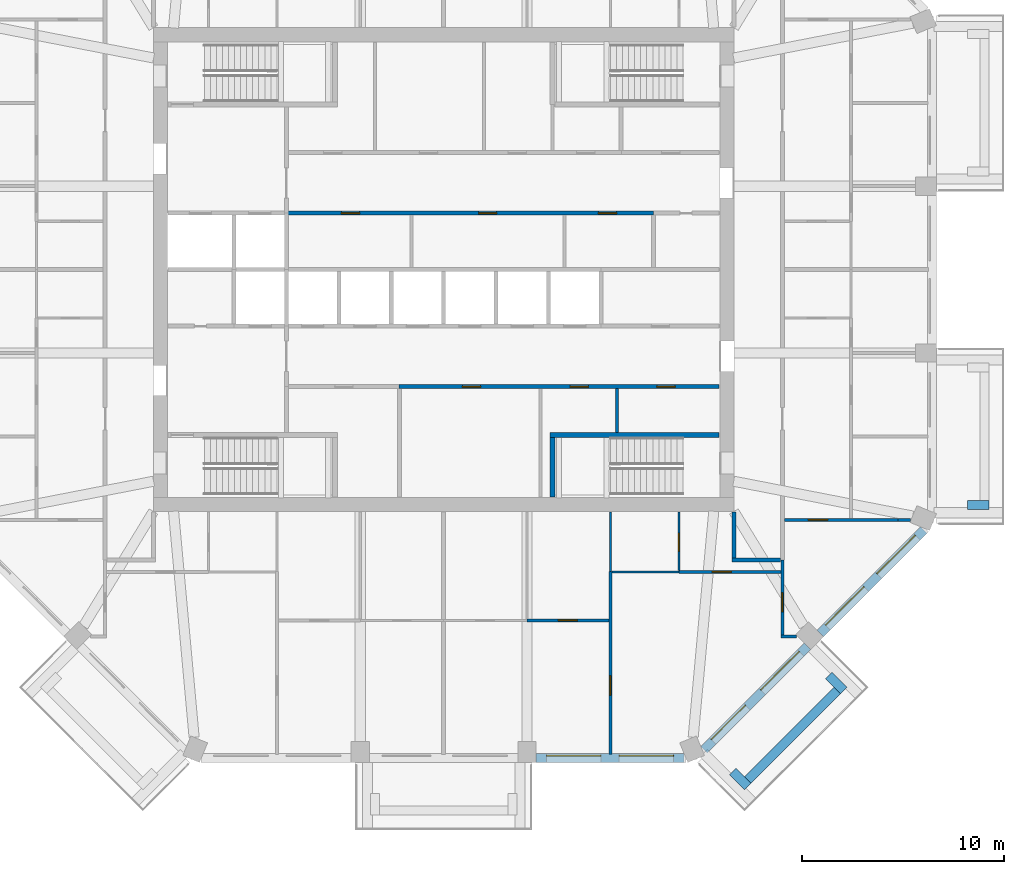
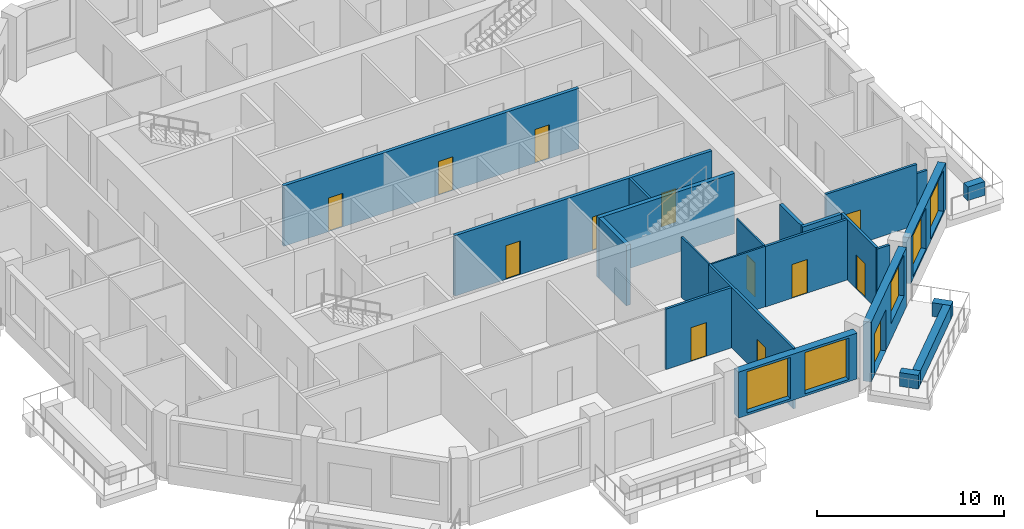
# One storey, part 5 of 12: 24 walls, 13 doors, 5 windows, 18 openings.
"""IFC4 building model written with IfcOpenShell, lengths in metres."""

from ifc_helpers import new_model, si_unit, direction, frame, frame_2d, origin, place, context, subcontext, project, spatial, rectangle, extrude, material, layer, layer_set, type_object, element, fill, save


model = new_model("IFC4")

# Units and contexts
model_context = context("Model", 3, precision=1e-05, world=origin(), true_north=direction((0.0, 1.0)))
body_context = subcontext(model_context, "Body", "Model", "MODEL_VIEW")
ifc_project = project(units=[si_unit("LENGTHUNIT", "METRE"), si_unit("AREAUNIT", "SQUARE_METRE"), si_unit("VOLUMEUNIT", "CUBIC_METRE"), si_unit("PLANEANGLEUNIT", "RADIAN"), si_unit("MASSUNIT", "GRAM", prefix="KILO")], contexts=[model_context])

# Site, building, storey
site_placement = place(None, origin())
site = spatial("IfcSite", under=ifc_project, at=site_placement, CompositionType="ELEMENT")
building_placement = place(site_placement, origin())
building = spatial("IfcBuilding", under=site, at=building_placement, Name="Msitu Wima Residences", CompositionType="ELEMENT")
storey_placement = place(building_placement, frame((0.0, 0.0, 170.699951171875)))
storey = spatial("IfcBuildingStorey", under=building, at=storey_placement, Name="L39", CompositionType="ELEMENT", Elevation=170.699951171875)

# Walls
ifc_material_1 = material(Name="Facing brick")
ifc_layer_1 = layer(ifc_material_1, 0.06494140625, Name="Facing brick")
ifc_material_2 = material(Name="Concrete C40/50", Category="concrete")
ifc_layer_2 = layer(ifc_material_2, 0.156005859375, Name="Concrete C40/50")
ifc_material_3 = material(Name="Waterproofing membrane")
ifc_layer_3 = layer(ifc_material_3, 0.00390625, Name="Waterproofing membrane")
ifc_material_4 = material(Name="Planting soil and planting")
ifc_layer_4 = layer(ifc_material_4, 0.22509765625, Name="Planting soil and planting")
ifc_layer_set_1 = layer_set([ifc_layer_1, ifc_layer_2, ifc_layer_3, ifc_layer_4], Name="Concrete C40/50")
wall_type_1 = type_object("IfcWallType", Name="Balcony planter PLANTER PL450", PredefinedType="USERDEFINED", material=ifc_layer_set_1)
wall_1_placement = place(storey_placement, frame((26.0, -11.686767578125, 0.0), z_axis=(0.0, 0.0, 1.0), x_axis=(1.0, 0.0, 0.0)))
element("IfcWall", 1, at=wall_1_placement, inside=storey, type_object=wall_type_1, Name="Balcony planter E0 L39", ObjectType="PLANTER", PredefinedType="USERDEFINED", context=body_context, shape_type="SweptSolid", body=[
    extrude(rectangle(XDim=1.050048828125, YDim=0.449951171875, at=frame_2d((0.52490234375, 0.0))), origin(), (0.0, 0.0, 1.0), 0.900146484375),
])
wall_2_placement = place(storey_placement, frame((15.0810546875, -25.325927734375, 0.0), z_axis=(0.0, 0.0, 1.0), x_axis=(0.707106781187, 0.707106781187, 0.0)))
element("IfcWall", 2, at=wall_2_placement, inside=storey, type_object=wall_type_1, Name="Balcony planter SE0 L39", ObjectType="PLANTER", PredefinedType="USERDEFINED", context=body_context, shape_type="SweptSolid", body=[
    extrude(rectangle(XDim=6.294189453125, YDim=0.449951171875, at=frame_2d((3.14697265625, 0.0))), origin(), (0.0, 0.0, 1.0), 0.900146484375),
])
for number, where, z_axis, x_axis, name in (
    (3, (14.338623046875, -24.901611328125, 0.0), (0.0, 0.0, 1.0), (0.707106781187, -0.707106781187, 0.0), "Balcony planter SE0 L39"),
    (4, (19.107421875, -20.1328125, 0.0), (0.0, 0.0, 1.0), (0.707106781187, -0.707106781187, 0.0), "Balcony planter SE0 L39"),
):
    element("IfcWall", number, at=place(storey_placement, frame(where, z_axis=z_axis, x_axis=x_axis)), inside=storey, type_object=wall_type_1, Name=name, ObjectType="PLANTER", PredefinedType="USERDEFINED", context=body_context, shape_type="SweptSolid", body=[
        extrude(rectangle(XDim=1.050048828125, YDim=0.449951171875, at=frame_2d((0.52490234375, 0.0))), origin(), (0.0, 0.0, 1.0), 0.900146484375),
    ])

# Wall, openings, windows
ifc_material_5 = material(Name="Brick (red buff mix)", Category="masonry")
ifc_layer_5 = layer(ifc_material_5, 0.449951171875)
ifc_layer_set_2 = layer_set([ifc_layer_5], Name="Brick (red buff mix)")
wall_type_2 = type_object("IfcWallType", Name="Brick infill wall BW450", PredefinedType="SOLIDWALL", material=ifc_layer_set_2)
wall_3_placement = place(storey_placement, frame((4.587158203125, -24.22509765625, 0.900146484375), z_axis=(0.0, 0.0, 1.0), x_axis=(1.0, 0.0, 0.0)))
wall_3 = element("IfcWall", 5, at=wall_3_placement, inside=storey, type_object=wall_type_2, Name="Brick infill wall L39 S2", PredefinedType="SOLIDWALL", context=body_context, shape_type="SweptSolid", body=[
    extrude(rectangle(XDim=7.337646484375, YDim=0.449951171875, at=frame_2d((3.6689453125, 0.0))), origin(), (0.0, 0.0, 1.0), 3.0),
])
opening_1_placement = place(wall_3_placement, frame((0.518798828125, 0.0, 0.14990234375)))
opening_1 = element("IfcOpeningElement", 6, at=opening_1_placement, cuts=wall_3, Name="Opening W38-39.019", PredefinedType="OPENING", context=body_context, shape_type="SweptSolid", body=[
    extrude(rectangle(XDim=2.699951171875, YDim=2.699951171875, at=frame_2d((1.35009765625, 1.35009765625))), frame((0.0, 0.23486328125, 0.0), z_axis=(0.0, -1.0, 0.0), x_axis=(1.0, 0.0, 0.0)), (0.0, 0.0, 1.0), 0.469970703125),
])
opening_2_placement = place(wall_3_placement, frame((4.11865234375, 0.0, 0.14990234375)))
opening_2 = element("IfcOpeningElement", 7, at=opening_2_placement, cuts=wall_3, Name="Opening W38-39.020", PredefinedType="OPENING", context=body_context, shape_type="SweptSolid", body=[
    extrude(rectangle(XDim=2.699951171875, YDim=2.699951171875, at=frame_2d((1.35009765625, 1.35009765625))), frame((0.0, 0.23486328125, 0.0), z_axis=(0.0, -1.0, 0.0), x_axis=(1.0, 0.0, 0.0)), (0.0, 0.0, 1.0), 0.469970703125),
])
ifc_material_6 = material(Name="Anodised aluminium, bronze finish, clear low-emissivity double glazing", Category="aluminium")
window_type = type_object("IfcWindowType", Name="Window W2700x2700", PartitioningType="DOUBLE_PANEL_VERTICAL", PredefinedType="WINDOW", material=ifc_material_6)
window_1_placement = place(opening_1_placement, origin())
window_1 = element("IfcWindow", 8, at=window_1_placement, inside=storey, type_object=window_type, Name="Window L39 S2.1", OverallHeight=2.699951171875, OverallWidth=2.699951171875, PartitioningType="SINGLE_PANEL", PredefinedType="WINDOW", context=body_context, shape_type="SweptSolid", body=[
    extrude(rectangle(XDim=2.699951171875, YDim=2.699951171875, at=frame_2d((1.35009765625, 1.35009765625))), frame((0.0, 0.135009765625, 0.0), z_axis=(0.0, -1.0, 0.0), x_axis=(1.0, 0.0, 0.0)), (0.0, 0.0, 1.0), 0.06005859375),
])
fill(opening_1, window_1)
window_2_placement = place(opening_2_placement, origin())
window_2 = element("IfcWindow", 9, at=window_2_placement, inside=storey, type_object=window_type, Name="Window L39 S2.2", OverallHeight=2.699951171875, OverallWidth=2.699951171875, PartitioningType="SINGLE_PANEL", PredefinedType="WINDOW", context=body_context, shape_type="SweptSolid", body=[
    extrude(rectangle(XDim=2.699951171875, YDim=2.699951171875, at=frame_2d((1.35009765625, 1.35009765625))), frame((0.0, 0.135009765625, 0.0), z_axis=(0.0, -1.0, 0.0), x_axis=(1.0, 0.0, 0.0)), (0.0, 0.0, 1.0), 0.06005859375),
])
fill(opening_2, window_2)

# Wall, openings, door, window
wall_4_placement = place(storey_placement, frame((12.915283203125, -23.814697265625, 0.0), z_axis=(0.0, 0.0, 1.0), x_axis=(0.707106781187, 0.707106781187, 0.0)))
wall_4 = element("IfcWall", 10, at=wall_4_placement, inside=storey, type_object=wall_type_2, Name="Brick infill wall L39 SE0", PredefinedType="SOLIDWALL", context=body_context, shape_type="SweptSolid", body=[
    extrude(rectangle(XDim=7.257080078125, YDim=0.449951171875, at=frame_2d((3.62841796875, 0.0))), origin(), (0.0, 0.0, 1.0), 3.900146484375),
])
opening_3_placement = place(wall_4_placement, frame((0.6142578125, 0.0, 0.0)))
opening_3 = element("IfcOpeningElement", 11, at=opening_3_placement, cuts=wall_4, Name="Opening D38-39.007", PredefinedType="OPENING", context=body_context, shape_type="SweptSolid", body=[
    extrude(rectangle(XDim=2.39990234375, YDim=2.699951171875, at=frame_2d((1.199951171875, 1.35009765625))), frame((0.0, 0.23486328125, 0.0), z_axis=(0.0, -1.0, 0.0), x_axis=(1.0, 0.0, 0.0)), (0.0, 0.0, 1.0), 0.469970703125),
])
opening_4_placement = place(wall_4_placement, frame((4.07861328125, 0.0, 1.050048828125)))
opening_4 = element("IfcOpeningElement", 12, at=opening_4_placement, cuts=wall_4, Name="Opening W38-39.021", PredefinedType="OPENING", context=body_context, shape_type="SweptSolid", body=[
    extrude(rectangle(XDim=2.699951171875, YDim=2.699951171875, at=frame_2d((1.35009765625, 1.35009765625))), frame((0.0, 0.23486328125, 0.0), z_axis=(0.0, -1.0, 0.0), x_axis=(1.0, 0.0, 0.0)), (0.0, 0.0, 1.0), 0.469970703125),
])
door_type_1 = type_object("IfcDoorType", Name="Balcony door D2400x2700", OperationType="SLIDING_TO_LEFT", PredefinedType="DOOR", material=ifc_material_6)
door_1_placement = place(opening_3_placement, origin())
door_1 = element("IfcDoor", 13, at=door_1_placement, inside=storey, type_object=door_type_1, Name="Balcony door L39 SE0", OperationType="SINGLE_SWING_LEFT", OverallHeight=2.699951171875, OverallWidth=2.39990234375, PredefinedType="DOOR", context=body_context, shape_type="SweptSolid", body=[
    extrude(rectangle(XDim=2.39990234375, YDim=2.699951171875, at=frame_2d((1.199951171875, 1.35009765625))), frame((0.0, 0.1298828125, 0.0), z_axis=(0.0, -1.0, 0.0), x_axis=(1.0, 0.0, 0.0)), (0.0, 0.0, 1.0), 0.050048828125),
])
fill(opening_3, door_1)
window_3_placement = place(opening_4_placement, origin())
window_3 = element("IfcWindow", 14, at=window_3_placement, inside=storey, type_object=window_type, Name="Window L39 SE0.2", OverallHeight=2.699951171875, OverallWidth=2.699951171875, PartitioningType="SINGLE_PANEL", PredefinedType="WINDOW", context=body_context, shape_type="SweptSolid", body=[
    extrude(rectangle(XDim=2.699951171875, YDim=2.699951171875, at=frame_2d((1.35009765625, 1.35009765625))), frame((0.0, 0.135009765625, 0.0), z_axis=(0.0, -1.0, 0.0), x_axis=(1.0, 0.0, 0.0)), (0.0, 0.0, 1.0), 0.06005859375),
])
fill(opening_4, window_3)

# Wall, openings, windows
wall_5_placement = place(storey_placement, frame((18.68310546875, -18.046875, 0.900146484375), z_axis=(0.0, 0.0, 1.0), x_axis=(0.707106781187, 0.707106781187, 0.0)))
wall_5 = element("IfcWall", 15, at=wall_5_placement, inside=storey, type_object=wall_type_2, Name="Brick infill wall L39 SE1", PredefinedType="SOLIDWALL", context=body_context, shape_type="SweptSolid", body=[
    extrude(rectangle(XDim=7.257080078125, YDim=0.449951171875, at=frame_2d((3.62841796875, 0.0))), origin(), (0.0, 0.0, 1.0), 3.0),
])
opening_5_placement = place(wall_5_placement, frame((0.478515625, 0.0, 0.14990234375)))
opening_5 = element("IfcOpeningElement", 16, at=opening_5_placement, cuts=wall_5, Name="Opening W38-39.022", PredefinedType="OPENING", context=body_context, shape_type="SweptSolid", body=[
    extrude(rectangle(XDim=2.699951171875, YDim=2.699951171875, at=frame_2d((1.35009765625, 1.35009765625))), frame((0.0, 0.23486328125, 0.0), z_axis=(0.0, -1.0, 0.0), x_axis=(1.0, 0.0, 0.0)), (0.0, 0.0, 1.0), 0.469970703125),
])
opening_6_placement = place(wall_5_placement, frame((4.07861328125, 0.0, 0.14990234375)))
opening_6 = element("IfcOpeningElement", 17, at=opening_6_placement, cuts=wall_5, Name="Opening W38-39.023", PredefinedType="OPENING", context=body_context, shape_type="SweptSolid", body=[
    extrude(rectangle(XDim=2.699951171875, YDim=2.699951171875, at=frame_2d((1.35009765625, 1.35009765625))), frame((0.0, 0.23486328125, 0.0), z_axis=(0.0, -1.0, 0.0), x_axis=(1.0, 0.0, 0.0)), (0.0, 0.0, 1.0), 0.469970703125),
])
window_4_placement = place(opening_5_placement, origin())
window_4 = element("IfcWindow", 18, at=window_4_placement, inside=storey, type_object=window_type, Name="Window L39 SE1.1", OverallHeight=2.699951171875, OverallWidth=2.699951171875, PartitioningType="SINGLE_PANEL", PredefinedType="WINDOW", context=body_context, shape_type="SweptSolid", body=[
    extrude(rectangle(XDim=2.699951171875, YDim=2.699951171875, at=frame_2d((1.35009765625, 1.35009765625))), frame((0.0, 0.135009765625, 0.0), z_axis=(0.0, -1.0, 0.0), x_axis=(1.0, 0.0, 0.0)), (0.0, 0.0, 1.0), 0.06005859375),
])
fill(opening_5, window_4)
window_5_placement = place(opening_6_placement, origin())
window_5 = element("IfcWindow", 19, at=window_5_placement, inside=storey, type_object=window_type, Name="Window L39 SE1.2", OverallHeight=2.699951171875, OverallWidth=2.699951171875, PartitioningType="SINGLE_PANEL", PredefinedType="WINDOW", context=body_context, shape_type="SweptSolid", body=[
    extrude(rectangle(XDim=2.699951171875, YDim=2.699951171875, at=frame_2d((1.35009765625, 1.35009765625))), frame((0.0, 0.135009765625, 0.0), z_axis=(0.0, -1.0, 0.0), x_axis=(1.0, 0.0, 0.0)), (0.0, 0.0, 1.0), 0.06005859375),
])
fill(opening_6, window_5)

# Wall, openings, doors
ifc_material_7 = material(Name="Plaster")
ifc_layer_6 = layer(ifc_material_7, 0.011962890625, Name="Plaster")
ifc_material_8 = material(Name="Concrete blockwork", Category="masonry")
ifc_layer_7 = layer(ifc_material_8, 0.176025390625, Name="Concrete blockwork")
ifc_layer_8 = layer(ifc_material_7, 0.011962890625, Name="Plaster")
ifc_layer_set_3 = layer_set([ifc_layer_6, ifc_layer_7, ifc_layer_8], Name="Concrete blockwork")
wall_type_3 = type_object("IfcWallType", Name="Corridor wall FW200", PredefinedType="PARTITIONING", material=ifc_layer_set_3)
wall_6_placement = place(storey_placement, frame((-7.820068359375, 2.800048828125, 0.0), z_axis=(0.0, 0.0, 1.0), x_axis=(1.0, 0.0, 0.0)))
wall_6 = element("IfcWall", 20, at=wall_6_placement, inside=storey, type_object=wall_type_3, Name="Corridor wall", PredefinedType="PARTITIONING", context=body_context, shape_type="SweptSolid", body=[
    extrude(rectangle(XDim=18.239990234375, YDim=0.199951171875, at=frame_2d((9.1201171875, 0.0))), origin(), (0.0, 0.0, 1.0), 3.949951171875),
])
opening_7_placement = place(wall_6_placement, frame((2.75, 0.0, 0.0)))
opening_7 = element("IfcOpeningElement", 21, at=opening_7_placement, cuts=wall_6, Name="Opening D38-39.075", PredefinedType="OPENING", context=body_context, shape_type="SweptSolid", body=[
    extrude(rectangle(XDim=0.89990234375, YDim=2.199951171875, at=frame_2d((0.449951171875, 1.10009765625))), frame((0.0, 0.10986328125, 0.0), z_axis=(0.0, -1.0, 0.0), x_axis=(1.0, 0.0, 0.0)), (0.0, 0.0, 1.0), 0.219970703125),
])
opening_8_placement = place(wall_6_placement, frame((9.550048828125, 0.0, 0.0)))
opening_8 = element("IfcOpeningElement", 22, at=opening_8_placement, cuts=wall_6, Name="Opening D38-39.076", PredefinedType="OPENING", context=body_context, shape_type="SweptSolid", body=[
    extrude(rectangle(XDim=0.89990234375, YDim=2.199951171875, at=frame_2d((0.449951171875, 1.10009765625))), frame((0.0, 0.10986328125, 0.0), z_axis=(0.0, -1.0, 0.0), x_axis=(1.0, 0.0, 0.0)), (0.0, 0.0, 1.0), 0.219970703125),
])
opening_9_placement = place(wall_6_placement, frame((15.5, 0.0, 0.0)))
opening_9 = element("IfcOpeningElement", 23, at=opening_9_placement, cuts=wall_6, Name="Opening D38-39.077", PredefinedType="OPENING", context=body_context, shape_type="SweptSolid", body=[
    extrude(rectangle(XDim=0.89990234375, YDim=2.199951171875, at=frame_2d((0.449951171875, 1.10009765625))), frame((0.0, 0.10986328125, 0.0), z_axis=(0.0, -1.0, 0.0), x_axis=(1.0, 0.0, 0.0)), (0.0, 0.0, 1.0), 0.219970703125),
])
ifc_material_9 = material(Name="Timber flush door", Category="wood")
door_type_2 = type_object("IfcDoorType", Name="Service door D05 900x2200", OperationType="SINGLE_SWING_LEFT", PredefinedType="DOOR", material=ifc_material_9)
door_2_placement = place(opening_7_placement, origin())
door_2 = element("IfcDoor", 24, at=door_2_placement, inside=storey, type_object=door_type_2, Name="Service door", OperationType="SINGLE_SWING_LEFT", OverallHeight=2.199951171875, OverallWidth=0.89990234375, PredefinedType="DOOR", context=body_context, shape_type="SweptSolid", body=[
    extrude(rectangle(XDim=0.89990234375, YDim=2.199951171875, at=frame_2d((0.449951171875, 1.10009765625))), frame((0.0, 0.02490234375, 0.0), z_axis=(0.0, -1.0, 0.0), x_axis=(1.0, 0.0, 0.0)), (0.0, 0.0, 1.0), 0.050048828125),
])
fill(opening_7, door_2)
door_3_placement = place(opening_8_placement, origin())
door_3 = element("IfcDoor", 25, at=door_3_placement, inside=storey, type_object=door_type_2, Name="Service door", OperationType="SINGLE_SWING_LEFT", OverallHeight=2.199951171875, OverallWidth=0.89990234375, PredefinedType="DOOR", context=body_context, shape_type="SweptSolid", body=[
    extrude(rectangle(XDim=0.89990234375, YDim=2.199951171875, at=frame_2d((0.449951171875, 1.10009765625))), frame((0.0, 0.02490234375, 0.0), z_axis=(0.0, -1.0, 0.0), x_axis=(1.0, 0.0, 0.0)), (0.0, 0.0, 1.0), 0.050048828125),
])
fill(opening_8, door_3)
door_4_placement = place(opening_9_placement, origin())
door_4 = element("IfcDoor", 26, at=door_4_placement, inside=storey, type_object=door_type_2, Name="Service door", OperationType="SINGLE_SWING_RIGHT", OverallHeight=2.199951171875, OverallWidth=0.89990234375, PredefinedType="DOOR", context=body_context, shape_type="SweptSolid", body=[
    extrude(rectangle(XDim=0.89990234375, YDim=2.199951171875, at=frame_2d((0.449951171875, 1.10009765625))), frame((0.0, 0.02490234375, 0.0), z_axis=(0.0, -1.0, 0.0), x_axis=(1.0, 0.0, 0.0)), (0.0, 0.0, 1.0), 0.050048828125),
])
fill(opening_9, door_4)

wall_7_placement = place(storey_placement, frame((-2.219970703125, -5.800048828125, 0.0), z_axis=(0.0, 0.0, 1.0), x_axis=(1.0, 0.0, 0.0)))
wall_7 = element("IfcWall", 27, at=wall_7_placement, inside=storey, type_object=wall_type_3, Name="Corridor wall", PredefinedType="PARTITIONING", context=body_context, shape_type="SweptSolid", body=[
    extrude(rectangle(XDim=15.889892578125, YDim=0.199951171875, at=frame_2d((7.94482421875, 0.0))), origin(), (0.0, 0.0, 1.0), 3.949951171875),
])
opening_10_placement = place(wall_7_placement, frame((3.14990234375, 0.0, 0.0)))
opening_10 = element("IfcOpeningElement", 28, at=opening_10_placement, cuts=wall_7, Name="Opening D38-39.070", PredefinedType="OPENING", context=body_context, shape_type="SweptSolid", body=[
    extrude(rectangle(XDim=0.89990234375, YDim=2.199951171875, at=frame_2d((0.449951171875, 1.10009765625))), frame((0.0, 0.10986328125, 0.0), z_axis=(0.0, -1.0, 0.0), x_axis=(1.0, 0.0, 0.0)), (0.0, 0.0, 1.0), 0.219970703125),
])
opening_11_placement = place(wall_7_placement, frame((8.5, 0.0, 0.0)))
opening_11 = element("IfcOpeningElement", 29, at=opening_11_placement, cuts=wall_7, Name="Opening D38-39.071", PredefinedType="OPENING", context=body_context, shape_type="SweptSolid", body=[
    extrude(rectangle(XDim=0.89990234375, YDim=2.199951171875, at=frame_2d((0.449951171875, 1.10009765625))), frame((0.0, 0.10986328125, 0.0), z_axis=(0.0, -1.0, 0.0), x_axis=(1.0, 0.0, 0.0)), (0.0, 0.0, 1.0), 0.219970703125),
])
opening_12_placement = place(wall_7_placement, frame((12.800048828125, 0.0, 0.0)))
opening_12 = element("IfcOpeningElement", 30, at=opening_12_placement, cuts=wall_7, Name="Opening D38-39.072", PredefinedType="OPENING", context=body_context, shape_type="SweptSolid", body=[
    extrude(rectangle(XDim=0.89990234375, YDim=2.199951171875, at=frame_2d((0.449951171875, 1.10009765625))), frame((0.0, 0.10986328125, 0.0), z_axis=(0.0, -1.0, 0.0), x_axis=(1.0, 0.0, 0.0)), (0.0, 0.0, 1.0), 0.219970703125),
])
door_5_placement = place(opening_10_placement, origin())
door_5 = element("IfcDoor", 31, at=door_5_placement, inside=storey, type_object=door_type_2, Name="Service door", OperationType="SINGLE_SWING_LEFT", OverallHeight=2.199951171875, OverallWidth=0.89990234375, PredefinedType="DOOR", context=body_context, shape_type="SweptSolid", body=[
    extrude(rectangle(XDim=0.89990234375, YDim=2.199951171875, at=frame_2d((0.449951171875, 1.10009765625))), frame((0.0, 0.02490234375, 0.0), z_axis=(0.0, -1.0, 0.0), x_axis=(1.0, 0.0, 0.0)), (0.0, 0.0, 1.0), 0.050048828125),
])
fill(opening_10, door_5)
door_6_placement = place(opening_11_placement, origin())
door_6 = element("IfcDoor", 32, at=door_6_placement, inside=storey, type_object=door_type_2, Name="Service door", OperationType="SINGLE_SWING_LEFT", OverallHeight=2.199951171875, OverallWidth=0.89990234375, PredefinedType="DOOR", context=body_context, shape_type="SweptSolid", body=[
    extrude(rectangle(XDim=0.89990234375, YDim=2.199951171875, at=frame_2d((0.449951171875, 1.10009765625))), frame((0.0, 0.02490234375, 0.0), z_axis=(0.0, -1.0, 0.0), x_axis=(1.0, 0.0, 0.0)), (0.0, 0.0, 1.0), 0.050048828125),
])
fill(opening_11, door_6)
door_7_placement = place(opening_12_placement, origin())
door_7 = element("IfcDoor", 33, at=door_7_placement, inside=storey, type_object=door_type_2, Name="Service door", OperationType="SINGLE_SWING_RIGHT", OverallHeight=2.199951171875, OverallWidth=0.89990234375, PredefinedType="DOOR", context=body_context, shape_type="SweptSolid", body=[
    extrude(rectangle(XDim=0.89990234375, YDim=2.199951171875, at=frame_2d((0.449951171875, 1.10009765625))), frame((0.0, 0.02490234375, 0.0), z_axis=(0.0, -1.0, 0.0), x_axis=(1.0, 0.0, 0.0)), (0.0, 0.0, 1.0), 0.050048828125),
])
fill(opening_12, door_7)

# Walls
wall_8_placement = place(storey_placement, frame((14.39990234375, -14.300048828125, 0.0), z_axis=(0.0, 0.0, 1.0), x_axis=(0.0, 1.0, 0.0)))
element("IfcWall", 34, at=wall_8_placement, inside=storey, type_object=wall_type_3, Name="Corridor wall", PredefinedType="PARTITIONING", context=body_context, shape_type="SweptSolid", body=[
    extrude(rectangle(XDim=2.27001953125, YDim=0.199951171875, at=frame_2d((1.135009765625, 0.0))), origin(), (0.0, 0.0, 1.0), 3.949951171875),
])
wall_9_placement = place(storey_placement, frame((14.300048828125, -14.39990234375, 0.0), z_axis=(0.0, 0.0, 1.0), x_axis=(1.0, 0.0, 0.0)))
element("IfcWall", 35, at=wall_9_placement, inside=storey, type_object=wall_type_3, Name="Corridor wall", PredefinedType="PARTITIONING", context=body_context, shape_type="SweptSolid", body=[
    extrude(rectangle(XDim=2.39990234375, YDim=0.199951171875, at=frame_2d((1.199951171875, 0.0))), origin(), (0.0, 0.0, 1.0), 3.949951171875),
])

# Wall, opening, door
ifc_layer_9 = layer(ifc_material_7, 0.011962890625, Name="Plaster")
ifc_layer_10 = layer(ifc_material_8, 0.1259765625, Name="Concrete blockwork")
ifc_layer_11 = layer(ifc_material_7, 0.011962890625, Name="Plaster")
ifc_layer_set_4 = layer_set([ifc_layer_9, ifc_layer_10, ifc_layer_11], Name="Concrete blockwork")
wall_type_4 = type_object("IfcWallType", Name="Partition PW150", PredefinedType="PARTITIONING", material=ifc_layer_set_4)
wall_10_placement = place(storey_placement, frame((4.13720703125, -17.39990234375, 0.0), z_axis=(0.0, 0.0, 1.0), x_axis=(1.0, 0.0, 0.0)))
wall_10 = element("IfcWall", 36, at=wall_10_placement, inside=storey, type_object=wall_type_4, Name="Partition", PredefinedType="PARTITIONING", context=body_context, shape_type="SweptSolid", body=[
    extrude(rectangle(XDim=4.062255859375, YDim=0.14990234375, at=frame_2d((2.03125, 0.0))), origin(), (0.0, 0.0, 1.0), 3.949951171875),
])
opening_13_placement = place(wall_10_placement, frame((1.550048828125, 0.0, 0.0)))
opening_13 = element("IfcOpeningElement", 37, at=opening_13_placement, cuts=wall_10, Name="Opening D38-39.049", PredefinedType="OPENING", context=body_context, shape_type="SweptSolid", body=[
    extrude(rectangle(XDim=0.949951171875, YDim=2.199951171875, at=frame_2d((0.47509765625, 1.10009765625))), frame((0.0, 0.0849609375, 0.0), z_axis=(0.0, -1.0, 0.0), x_axis=(1.0, 0.0, 0.0)), (0.0, 0.0, 1.0), 0.169921875),
])
door_type_3 = type_object("IfcDoorType", Name="Room door D12 950x2200", OperationType="SINGLE_SWING_LEFT", PredefinedType="DOOR", material=ifc_material_9)
door_8_placement = place(opening_13_placement, origin())
door_8 = element("IfcDoor", 38, at=door_8_placement, inside=storey, type_object=door_type_3, Name="Room door", OperationType="SINGLE_SWING_LEFT", OverallHeight=2.199951171875, OverallWidth=0.949951171875, PredefinedType="DOOR", context=body_context, shape_type="SweptSolid", body=[
    extrude(rectangle(XDim=0.949951171875, YDim=2.199951171875, at=frame_2d((0.47509765625, 1.10009765625))), frame((0.0, 0.02490234375, 0.0), z_axis=(0.0, -1.0, 0.0), x_axis=(1.0, 0.0, 0.0)), (0.0, 0.0, 1.0), 0.050048828125),
])
fill(opening_13, door_8)

wall_11_placement = place(storey_placement, frame((8.2744140625, -24.054931640625, 0.0), z_axis=(0.0, 0.0, 1.0), x_axis=(0.0, 1.0, 0.0)))
wall_11 = element("IfcWall", 39, at=wall_11_placement, inside=storey, type_object=wall_type_4, Name="Partition", PredefinedType="PARTITIONING", context=body_context, shape_type="SweptSolid", body=[
    extrude(rectangle(XDim=9.074951171875, YDim=0.14990234375, at=frame_2d((4.53759765625, 0.0))), origin(), (0.0, 0.0, 1.0), 3.949951171875),
])
opening_14_placement = place(wall_11_placement, frame((2.949951171875, 0.0, 0.0)))
opening_14 = element("IfcOpeningElement", 40, at=opening_14_placement, cuts=wall_11, Name="Opening D38-39.056", PredefinedType="OPENING", context=body_context, shape_type="SweptSolid", body=[
    extrude(rectangle(XDim=0.949951171875, YDim=2.199951171875, at=frame_2d((0.47509765625, 1.10009765625))), frame((0.0, 0.0849609375, 0.0), z_axis=(0.0, -1.0, 0.0), x_axis=(1.0, 0.0, 0.0)), (0.0, 0.0, 1.0), 0.169921875),
])
door_9_placement = place(opening_14_placement, origin())
door_9 = element("IfcDoor", 41, at=door_9_placement, inside=storey, type_object=door_type_3, Name="Room door", OperationType="SINGLE_SWING_RIGHT", OverallHeight=2.199951171875, OverallWidth=0.949951171875, PredefinedType="DOOR", context=body_context, shape_type="SweptSolid", body=[
    extrude(rectangle(XDim=0.949951171875, YDim=2.199951171875, at=frame_2d((0.47509765625, 1.10009765625))), frame((0.0, 0.02490234375, 0.0), z_axis=(0.0, -1.0, 0.0), x_axis=(1.0, 0.0, 0.0)), (0.0, 0.0, 1.0), 0.050048828125),
])
fill(opening_14, door_9)

# Wall
wall_12_placement = place(storey_placement, frame((8.60009765625, -8.074951171875, 0.0), z_axis=(0.0, 0.0, 1.0), x_axis=(0.0, 1.0, 0.0)))
element("IfcWall", 42, at=wall_12_placement, inside=storey, type_object=wall_type_4, Name="Partition", PredefinedType="PARTITIONING", context=body_context, shape_type="SweptSolid", body=[
    extrude(rectangle(XDim=2.175048828125, YDim=0.14990234375, at=frame_2d((1.08740234375, 0.0))), origin(), (0.0, 0.0, 1.0), 3.949951171875),
])

# Wall, opening, door
wall_13_placement = place(storey_placement, frame((11.674560546875, -15.0, 0.0), z_axis=(0.0, 0.0, 1.0), x_axis=(1.0, 0.0, 0.0)))
wall_13 = element("IfcWall", 43, at=wall_13_placement, inside=storey, type_object=wall_type_4, Name="Partition", PredefinedType="PARTITIONING", context=body_context, shape_type="SweptSolid", body=[
    extrude(rectangle(XDim=5.050537109375, YDim=0.14990234375, at=frame_2d((2.525390625, 0.0))), origin(), (0.0, 0.0, 1.0), 3.949951171875),
])
opening_15_placement = place(wall_13_placement, frame((1.64990234375, 0.0, 0.0)))
opening_15 = element("IfcOpeningElement", 44, at=opening_15_placement, cuts=wall_13, Name="Opening D38-39.057", PredefinedType="OPENING", context=body_context, shape_type="SweptSolid", body=[
    extrude(rectangle(XDim=0.949951171875, YDim=2.199951171875, at=frame_2d((0.47509765625, 1.10009765625))), frame((0.0, 0.0849609375, 0.0), z_axis=(0.0, -1.0, 0.0), x_axis=(1.0, 0.0, 0.0)), (0.0, 0.0, 1.0), 0.169921875),
])
door_10_placement = place(opening_15_placement, origin())
door_10 = element("IfcDoor", 45, at=door_10_placement, inside=storey, type_object=door_type_3, Name="Room door", OperationType="SINGLE_SWING_LEFT", OverallHeight=2.199951171875, OverallWidth=0.949951171875, PredefinedType="DOOR", context=body_context, shape_type="SweptSolid", body=[
    extrude(rectangle(XDim=0.949951171875, YDim=2.199951171875, at=frame_2d((0.47509765625, 1.10009765625))), frame((0.0, 0.02490234375, 0.0), z_axis=(0.0, -1.0, 0.0), x_axis=(1.0, 0.0, 0.0)), (0.0, 0.0, 1.0), 0.050048828125),
])
fill(opening_15, door_10)

wall_14_placement = place(storey_placement, frame((16.800048828125, -18.130859375, 0.0), z_axis=(0.0, 0.0, 1.0), x_axis=(0.0, 1.0, 0.0)))
wall_14 = element("IfcWall", 46, at=wall_14_placement, inside=storey, type_object=wall_type_4, Name="Partition", PredefinedType="PARTITIONING", context=body_context, shape_type="SweptSolid", body=[
    extrude(rectangle(XDim=3.73095703125, YDim=0.14990234375, at=frame_2d((1.865478515625, 0.0))), origin(), (0.0, 0.0, 1.0), 3.949951171875),
])
opening_16_placement = place(wall_14_placement, frame((1.14990234375, 0.0, 0.0)))
opening_16 = element("IfcOpeningElement", 47, at=opening_16_placement, cuts=wall_14, Name="Opening D38-39.055", PredefinedType="OPENING", context=body_context, shape_type="SweptSolid", body=[
    extrude(rectangle(XDim=0.949951171875, YDim=2.199951171875, at=frame_2d((0.47509765625, 1.10009765625))), frame((0.0, 0.0849609375, 0.0), z_axis=(0.0, -1.0, 0.0), x_axis=(1.0, 0.0, 0.0)), (0.0, 0.0, 1.0), 0.169921875),
])
door_11_placement = place(opening_16_placement, origin())
door_11 = element("IfcDoor", 48, at=door_11_placement, inside=storey, type_object=door_type_3, Name="Room door", OperationType="SINGLE_SWING_RIGHT", OverallHeight=2.199951171875, OverallWidth=0.949951171875, PredefinedType="DOOR", context=body_context, shape_type="SweptSolid", body=[
    extrude(rectangle(XDim=0.949951171875, YDim=2.199951171875, at=frame_2d((0.47509765625, 1.10009765625))), frame((0.0, 0.02490234375, 0.0), z_axis=(0.0, -1.0, 0.0), x_axis=(1.0, 0.0, 0.0)), (0.0, 0.0, 1.0), 0.050048828125),
])
fill(opening_16, door_11)

# Wall
wall_15_placement = place(storey_placement, frame((16.72509765625, -18.205810546875, 0.0), z_axis=(0.0, 0.0, 1.0), x_axis=(1.0, 0.0, 0.0)))
element("IfcWall", 49, at=wall_15_placement, inside=storey, type_object=wall_type_4, Name="Partition", PredefinedType="PARTITIONING", context=body_context, shape_type="SweptSolid", body=[
    extrude(rectangle(XDim=0.784423828125, YDim=0.14990234375, at=frame_2d((0.39208984375, 0.0))), origin(), (0.0, 0.0, 1.0), 3.949951171875),
])

# Wall, opening, door
wall_16_placement = place(storey_placement, frame((16.89990234375, -12.411865234375, 0.0), z_axis=(0.0, 0.0, 1.0), x_axis=(1.0, 0.0, 0.0)))
wall_16 = element("IfcWall", 50, at=wall_16_placement, inside=storey, type_object=wall_type_4, Name="Partition", PredefinedType="PARTITIONING", context=body_context, shape_type="SweptSolid", body=[
    extrude(rectangle(XDim=5.638427734375, YDim=0.14990234375, at=frame_2d((2.8193359375, 0.0))), origin(), (0.0, 0.0, 1.0), 3.949951171875),
])
opening_17_placement = place(wall_16_placement, frame((1.199951171875, 0.0, 0.0)))
opening_17 = element("IfcOpeningElement", 51, at=opening_17_placement, cuts=wall_16, Name="Opening D38-39.054", PredefinedType="OPENING", context=body_context, shape_type="SweptSolid", body=[
    extrude(rectangle(XDim=0.949951171875, YDim=2.199951171875, at=frame_2d((0.47509765625, 1.10009765625))), frame((0.0, 0.0849609375, 0.0), z_axis=(0.0, -1.0, 0.0), x_axis=(1.0, 0.0, 0.0)), (0.0, 0.0, 1.0), 0.169921875),
])
door_12_placement = place(opening_17_placement, origin())
door_12 = element("IfcDoor", 52, at=door_12_placement, inside=storey, type_object=door_type_3, Name="Room door", OperationType="SINGLE_SWING_RIGHT", OverallHeight=2.199951171875, OverallWidth=0.949951171875, PredefinedType="DOOR", context=body_context, shape_type="SweptSolid", body=[
    extrude(rectangle(XDim=0.949951171875, YDim=2.199951171875, at=frame_2d((0.47509765625, 1.10009765625))), frame((0.0, 0.02490234375, 0.0), z_axis=(0.0, -1.0, 0.0), x_axis=(1.0, 0.0, 0.0)), (0.0, 0.0, 1.0), 0.050048828125),
])
fill(opening_17, door_12)

# Walls
wall_17_placement = place(storey_placement, frame((22.538330078125, -12.411865234375, 0.0), z_axis=(0.0, 0.0, 1.0), x_axis=(1.0, 0.0, 0.0)))
element("IfcWall", 53, at=wall_17_placement, inside=storey, type_object=wall_type_4, Name="Partition", PredefinedType="PARTITIONING", context=body_context, shape_type="SweptSolid", body=[
    extrude(rectangle(XDim=0.630615234375, YDim=0.14990234375, at=frame_2d((0.3154296875, 0.0))), origin(), (0.0, 0.0, 1.0), 3.35009765625),
])
ifc_material_10 = material(Name="Concrete C50/60", Category="concrete")
ifc_layer_12 = layer(ifc_material_10, 0.25)
ifc_layer_set_5 = layer_set([ifc_layer_12], Name="Concrete C50/60")
wall_type_5 = type_object("IfcWallType", Name="Stair enclosure wall SW250", PredefinedType="SHEAR", material=ifc_layer_set_5)
wall_18_placement = place(storey_placement, frame((5.39990234375, -11.27001953125, 0.0), z_axis=(0.0, 0.0, 1.0), x_axis=(0.0, 1.0, 0.0)))
element("IfcWall", 54, at=wall_18_placement, inside=storey, type_object=wall_type_5, Name="Stair enclosure wall", PredefinedType="SHEAR", context=body_context, shape_type="SweptSolid", body=[
    extrude(rectangle(XDim=2.945068359375, YDim=0.25, at=frame_2d((1.47265625, 0.0))), origin(), (0.0, 0.0, 1.0), 3.949951171875),
])
wall_19_placement = place(storey_placement, frame((5.27490234375, -8.199951171875, 0.0), z_axis=(0.0, 0.0, 1.0), x_axis=(1.0, 0.0, 0.0)))
element("IfcWall", 55, at=wall_19_placement, inside=storey, type_object=wall_type_5, Name="Stair enclosure wall", PredefinedType="SHEAR", context=body_context, shape_type="SweptSolid", body=[
    extrude(rectangle(XDim=8.39501953125, YDim=0.25, at=frame_2d((4.197509765625, 0.0))), origin(), (0.0, 0.0, 1.0), 3.949951171875),
])
ifc_material_11 = material(Name="Ceramic tiles")
ifc_layer_13 = layer(ifc_material_11, 0.008056640625, Name="Ceramic tiles")
ifc_material_12 = material(Name="Moisture-resistant board")
ifc_layer_14 = layer(ifc_material_12, 0.012451171875, Name="Moisture-resistant board")
ifc_material_13 = material(Name="Light-gauge stud framing with mineral wool")
ifc_layer_15 = layer(ifc_material_13, 0.06689453125, Name="Light-gauge stud framing with mineral wool")
ifc_layer_16 = layer(ifc_material_12, 0.012451171875, Name="Moisture-resistant board")
ifc_layer_set_6 = layer_set([ifc_layer_13, ifc_layer_14, ifc_layer_15, ifc_layer_16], Name="Light-gauge stud framing with mineral wool")
wall_type_6 = type_object("IfcWallType", Name="Wet wall PW100", PredefinedType="PARTITIONING", material=ifc_layer_set_6)
wall_20_placement = place(storey_placement, frame((8.2744140625, -14.97998046875, 0.0), z_axis=(0.0, 0.0, 1.0), x_axis=(0.0, 1.0, 0.0)))
element("IfcWall", 56, at=wall_20_placement, inside=storey, type_object=wall_type_6, Name="Wet wall", PredefinedType="PARTITIONING", context=body_context, shape_type="SweptSolid", body=[
    extrude(rectangle(XDim=2.949951171875, YDim=0.10009765625, at=frame_2d((1.47509765625, 0.0))), origin(), (0.0, 0.0, 1.0), 3.949951171875),
])
wall_21_placement = place(storey_placement, frame((8.349609375, -15.0, 0.0), z_axis=(0.0, 0.0, 1.0), x_axis=(1.0, 0.0, 0.0)))
element("IfcWall", 57, at=wall_21_placement, inside=storey, type_object=wall_type_6, Name="Wet wall", PredefinedType="PARTITIONING", context=body_context, shape_type="SweptSolid", body=[
    extrude(rectangle(XDim=3.324951171875, YDim=0.10009765625, at=frame_2d((1.66259765625, 0.0))), origin(), (0.0, 0.0, 1.0), 3.949951171875),
])

# Wall, opening, door
wall_22_placement = place(storey_placement, frame((11.674560546875, -14.925048828125, 0.0), z_axis=(0.0, 0.0, 1.0), x_axis=(0.0, 1.0, 0.0)))
wall_22 = element("IfcWall", 58, at=wall_22_placement, inside=storey, type_object=wall_type_6, Name="Wet wall", PredefinedType="PARTITIONING", context=body_context, shape_type="SweptSolid", body=[
    extrude(rectangle(XDim=2.89501953125, YDim=0.10009765625, at=frame_2d((1.447509765625, 0.0))), origin(), (0.0, 0.0, 1.0), 3.949951171875),
])
opening_18_placement = place(wall_22_placement, frame((0.949951171875, 0.0, 0.0)))
opening_18 = element("IfcOpeningElement", 59, at=opening_18_placement, cuts=wall_22, Name="Opening D38-39.050", PredefinedType="OPENING", context=body_context, shape_type="SweptSolid", body=[
    extrude(rectangle(XDim=0.89990234375, YDim=2.199951171875, at=frame_2d((0.449951171875, 1.10009765625))), frame((0.0, 0.06005859375, 0.0), z_axis=(0.0, -1.0, 0.0), x_axis=(1.0, 0.0, 0.0)), (0.0, 0.0, 1.0), 0.1201171875),
])
door_13_placement = place(opening_18_placement, origin())
door_13 = element("IfcDoor", 60, at=door_13_placement, inside=storey, type_object=door_type_2, Name="Service door", OperationType="SINGLE_SWING_LEFT", OverallHeight=2.199951171875, OverallWidth=0.89990234375, PredefinedType="DOOR", context=body_context, shape_type="SweptSolid", body=[
    extrude(rectangle(XDim=0.89990234375, YDim=2.199951171875, at=frame_2d((0.449951171875, 1.10009765625))), frame((0.0, 0.02490234375, 0.0), z_axis=(0.0, -1.0, 0.0), x_axis=(1.0, 0.0, 0.0)), (0.0, 0.0, 1.0), 0.050048828125),
])
fill(opening_18, door_13)

save(model, "model.ifc")
